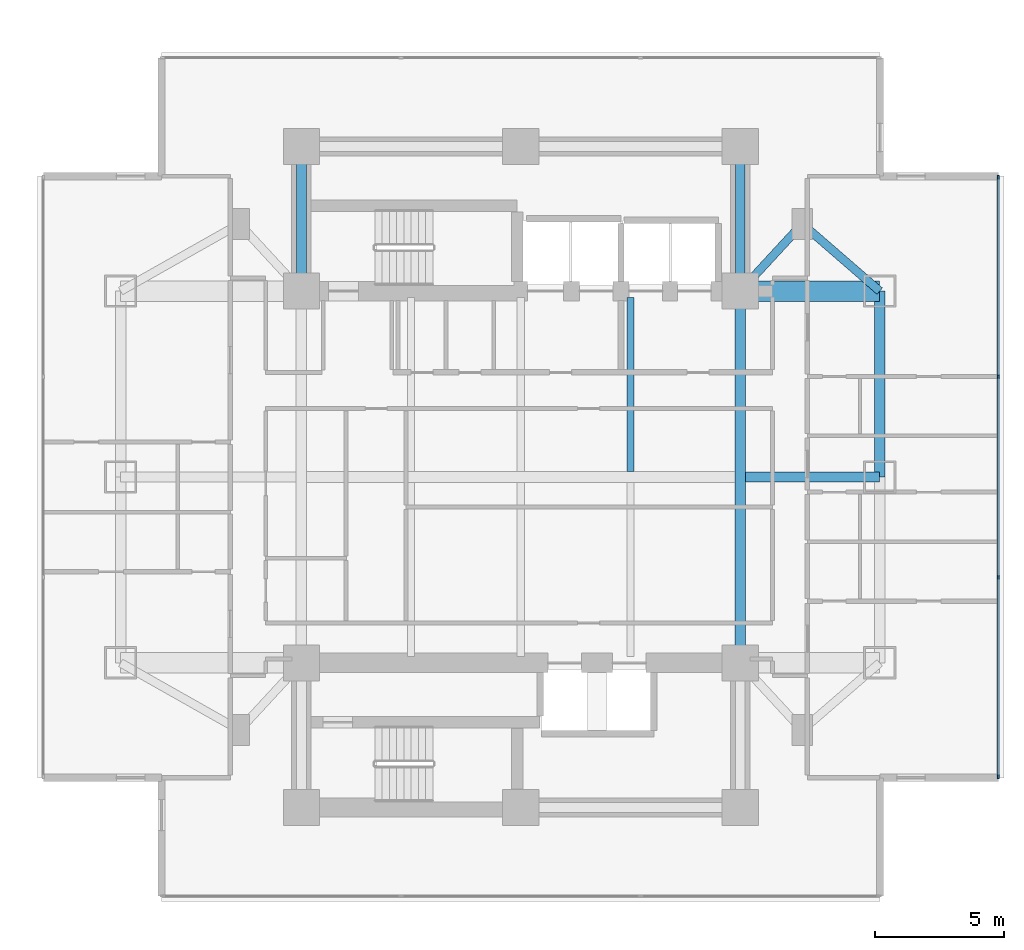
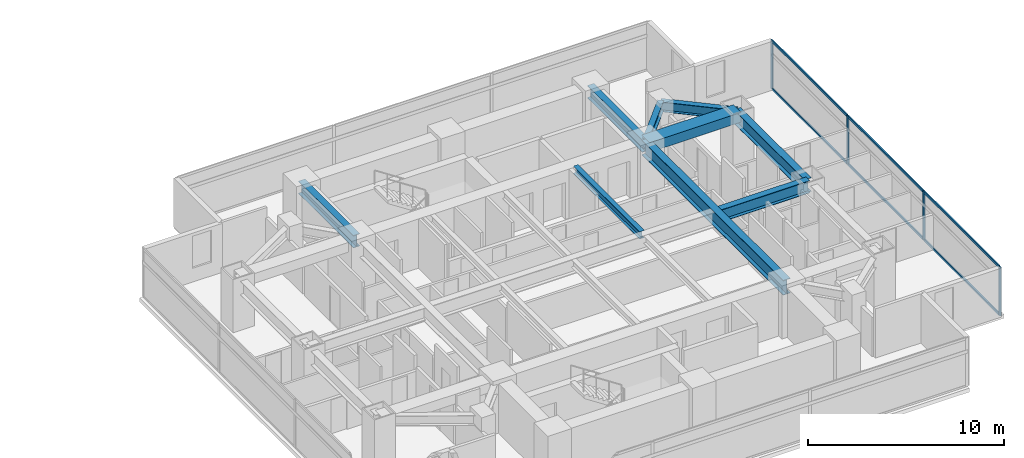
# One storey, part 10 of 25: 10 members, 9 beams, 1 element without a shape of its own.
"""IFC4 building model written with IfcOpenShell, lengths in metres."""

import ifcopenshell
import ifcopenshell.guid

model = None  # the IFC model being written
_history = None  # IfcOwnerHistory: only IFC2X3 demands one
_inside = {}  # id of a spatial element -> (the spatial element, [elements in it])
_under = {}  # id of a project, library or spatial element -> (it, [spatial elements below it])
_declared = {}  # id of a project -> (the project, [libraries it declares])
_typed = {}  # id of a type object -> (the type object, [elements of that type])
_made_of = {}  # id of a material, layer set ... -> (it, [elements and type objects made of it])


def new_model(schema):
    """Start an empty IFC model of exactly this schema.

    Asked for "IFC4X3", IfcOpenShell would pick the latest addendum, in which some entities
    have other attributes; the version numbers below select the first issue.
    IFC2X3 requires an IfcOwnerHistory on every rooted entity: one is made here for all.
    """
    global model, _history
    if schema == "IFC4X3":
        model = ifcopenshell.file(schema_version=(4, 3, 0, 0))
    else:
        model = ifcopenshell.file(schema=schema)
    _inside.clear()
    _under.clear()
    _declared.clear()
    _typed.clear()
    _made_of.clear()
    _history = None
    if model.schema == "IFC2X3":
        org = make("IfcOrganization", Name="unknown")
        user = make(
            "IfcPersonAndOrganization",
            ThePerson=make("IfcPerson", FamilyName="unknown"),
            TheOrganization=org,
        )
        app = make(
            "IfcApplication",
            ApplicationDeveloper=org,
            Version="unknown",
            ApplicationFullName="unknown",
            ApplicationIdentifier="unknown",
        )
        _history = make(
            "IfcOwnerHistory",
            OwningUser=user,
            OwningApplication=app,
            ChangeAction="ADDED",
            CreationDate=0,
        )
    return model


def make(cls, **values):
    """One entity of the class cls with the attributes given. An attribute that is None is left unset."""
    return model.create_entity(
        cls, **{name: value for name, value in values.items() if value is not None}
    )


def rooted(cls, **values):
    """An entity with a GlobalId (a new one), such as an element, a storey or a relation."""
    return make(cls, GlobalId=ifcopenshell.guid.new(), OwnerHistory=_history, **values)


def si_unit(unit_type, name, prefix=None):
    """IfcSIUnit, for example si_unit("LENGTHUNIT", "METRE", prefix="MILLI")."""
    return make("IfcSIUnit", UnitType=unit_type, Prefix=prefix, Name=name)


def assignment(units):
    """IfcUnitAssignment: the units of a project."""
    return None if units is None else make("IfcUnitAssignment", Units=units)


def point(xyz):
    """IfcCartesianPoint."""
    return None if xyz is None else make("IfcCartesianPoint", Coordinates=xyz)


def direction(xyz):
    """IfcDirection."""
    return None if xyz is None else make("IfcDirection", DirectionRatios=xyz)


def frame(location, z_axis=None, x_axis=None):
    """IfcAxis2Placement3D, a coordinate frame: its origin and axes. An axis left out is left unset."""
    return make(
        "IfcAxis2Placement3D",
        Location=point(location),
        Axis=direction(z_axis),
        RefDirection=direction(x_axis),
    )


def frame_2d(location, x_axis=None):
    """IfcAxis2Placement2D, a coordinate frame in the plane: its origin and x axis."""
    return make(
        "IfcAxis2Placement2D", Location=point(location), RefDirection=direction(x_axis)
    )


def origin():
    """The frame at (0, 0, 0) with its axes left unset."""
    return frame((0.0, 0.0, 0.0))


def origin_2d():
    """The frame at (0, 0) in the plane with its x axis left unset."""
    return frame_2d((0.0, 0.0))


def place(relative_to, where):
    """IfcLocalPlacement: puts the frame where relative to a parent placement (None: the world)."""
    return make(
        "IfcLocalPlacement", PlacementRelTo=relative_to, RelativePlacement=where
    )


def context(
    kind, dimensions, precision=None, world=None, true_north=None, identifier=None
):
    """IfcGeometricRepresentationContext, for example the 3D "Model" context."""
    return make(
        "IfcGeometricRepresentationContext",
        ContextIdentifier=identifier,
        ContextType=kind,
        CoordinateSpaceDimension=dimensions,
        Precision=precision,
        WorldCoordinateSystem=world,
        TrueNorth=true_north,
    )


def subcontext(parent, identifier, kind, view, scale=None):
    """IfcGeometricRepresentationSubContext, for example "Body" below "Model"."""
    return make(
        "IfcGeometricRepresentationSubContext",
        ContextIdentifier=identifier,
        ContextType=kind,
        ParentContext=parent,
        TargetScale=scale,
        TargetView=view,
    )


def project(units=None, contexts=None):
    """IfcProject with its units and contexts."""
    return rooted(
        "IfcProject",
        Name="project",
        RepresentationContexts=contexts,
        UnitsInContext=assignment(units),
    )


def spatial(cls, under=None, at=None, **own):
    """A site, building, storey or space (cls), placed at a placement, below another one or the project."""
    s = rooted(cls, ObjectPlacement=at, **own)
    if under is not None:
        _under.setdefault(under.id(), (under, []))[1].append(s)
    return s


def profile(cls, at=None, kind="AREA", **sizes):
    """A parametric profile (cls). Its sizes go by their IFC names, for example OverallWidth=200.0."""
    return make(cls, ProfileType=kind, Position=at, **sizes)


def rectangle(**sizes):
    """IfcRectangleProfileDef."""
    return profile("IfcRectangleProfileDef", **sizes)


def i_section(**sizes):
    """IfcIShapeProfileDef."""
    return profile("IfcIShapeProfileDef", **sizes)


def extrude(swept, where, along, depth):
    """IfcExtrudedAreaSolid: the profile swept, set in the frame where, extruded along a direction by depth."""
    return make(
        "IfcExtrudedAreaSolid",
        SweptArea=swept,
        Position=where,
        ExtrudedDirection=direction(along),
        Depth=depth,
    )


def shape(context_of_items, identifier, shape_type, items):
    """IfcShapeRepresentation: the items that make up one representation, for example the "Body"."""
    return make(
        "IfcShapeRepresentation",
        ContextOfItems=context_of_items,
        RepresentationIdentifier=identifier,
        RepresentationType=shape_type,
        Items=items,
    )


def material(Name=None, Category=None):
    """IfcMaterial."""
    return make("IfcMaterial", Name=Name, Category=Category)


def material_profile(
    of_material, cross_section, Name=None, Category=None, Priority=None
):
    """IfcMaterialProfile: a cross section and its material."""
    return make(
        "IfcMaterialProfile",
        Name=Name,
        Material=of_material,
        Profile=cross_section,
        Priority=Priority,
        Category=Category,
    )


def profile_set(profiles, Name=None, composite=None):
    """IfcMaterialProfileSet."""
    return make(
        "IfcMaterialProfileSet",
        Name=Name,
        MaterialProfiles=profiles,
        CompositeProfile=composite,
    )


def made_of(thing, what):
    """Note that an element or type object is made of a material, layer set ...; save() writes the relation."""
    if what is not None:
        _made_of.setdefault(what.id(), (what, []))[1].append(thing)
    return thing


def type_object(cls, material=None, **own):
    """A type object (cls), such as IfcWallType, which elements share."""
    return made_of(rooted(cls, **own), material)


def element(
    cls,
    number,
    at=None,
    inside=None,
    cuts=None,
    type_object=None,
    material=None,
    context=None,
    identifier="Body",
    shape_type=None,
    held_by="IfcProductDefinitionShape",
    body=None,
    shapes=None,
    **own,
):
    """One element of the class cls, such as IfcWall. Its Tag is "e" and its number.

    at: its placement. inside: the storey or other place that contains it. cuts: it is an
    opening in that element (IfcRelVoidsElement). A single representation is given by context,
    identifier, shape_type and body (its items); several are given by shapes. held_by: the class
    of the entity that holds the representations. save() writes the other relations.
    """
    e = rooted(cls, Tag="e%d" % number, ObjectPlacement=at, **own)
    if body is not None:
        shapes = [shape(context, identifier, shape_type, body)]
    if shapes is not None:
        e.Representation = make(held_by, Representations=shapes)
    if inside is not None:
        _inside.setdefault(inside.id(), (inside, []))[1].append(e)
    if cuts is not None:
        rooted(
            "IfcRelVoidsElement", RelatingBuildingElement=cuts, RelatedOpeningElement=e
        )
    if type_object is not None:
        _typed.setdefault(type_object.id(), (type_object, []))[1].append(e)
    return made_of(e, material)


def aggregate(whole, parts):
    """IfcRelAggregates: a whole, such as a stair, and the parts it consists of."""
    return rooted("IfcRelAggregates", RelatingObject=whole, RelatedObjects=parts)


def save(model, path):
    """Write the relations noted so far, then the file.

    IfcRelAggregates (storeys below a building ...), IfcRelContainedInSpatialStructure (elements
    in a storey), IfcRelDefinesByType, IfcRelAssociatesMaterial and IfcRelDeclares: one each for
    every whole, place, type object, material and project.
    """
    for whole, parts in _under.values():
        aggregate(whole, parts)
    for where, things in _inside.values():
        rooted(
            "IfcRelContainedInSpatialStructure",
            RelatedElements=things,
            RelatingStructure=where,
        )
    for kind, things in _typed.values():
        rooted("IfcRelDefinesByType", RelatedObjects=things, RelatingType=kind)
    for what, things in _made_of.values():
        rooted("IfcRelAssociatesMaterial", RelatedObjects=things, RelatingMaterial=what)
    for by, libraries in _declared.values():
        rooted("IfcRelDeclares", RelatingContext=by, RelatedDefinitions=libraries)
    model.write(path)


model = new_model("IFC4")

# Units and contexts
model_context = context("Model", 3, precision=1e-05, world=origin(), true_north=direction((0.0, 1.0)))
body_context = subcontext(model_context, "Body", "Model", "MODEL_VIEW")
ifc_project = project(units=[si_unit("LENGTHUNIT", "METRE"), si_unit("AREAUNIT", "SQUARE_METRE"), si_unit("VOLUMEUNIT", "CUBIC_METRE"), si_unit("PLANEANGLEUNIT", "RADIAN"), si_unit("MASSUNIT", "GRAM", prefix="KILO")], contexts=[model_context])

# Site, building, storey
site_placement = place(None, origin())
site = spatial("IfcSite", under=ifc_project, at=site_placement, CompositionType="ELEMENT")
building_placement = place(site_placement, origin())
building = spatial("IfcBuilding", under=site, at=building_placement, Name="Mirazonda Arch Towers", CompositionType="ELEMENT")
storey_placement = place(building_placement, frame((0.0, 0.0, 32.300048828125)))
storey = spatial("IfcBuildingStorey", under=building, at=storey_placement, Name="L08", CompositionType="ELEMENT", Elevation=32.300048828125)

# Beams
ifc_material_1 = material(Name="Steel ASTM A992 Grade 50", Category="steel")
ifc_material_profile_1 = material_profile(ifc_material_1, i_section(OverallWidth=0.39990234375, OverallDepth=0.85595703125, WebThickness=0.018310546875, FlangeThickness=0.029296875, at=origin_2d()), Name="W33X201")
ifc_profile_set_1 = profile_set([ifc_material_profile_1], Name="Steel ASTM A992 Grade 50")
beam_type_1 = type_object("IfcBeamType", Name="BM-EXT-W33X201", PredefinedType="USERDEFINED", material=ifc_profile_set_1)
beam_1_placement = place(storey_placement, frame((90.39990234375, 28.0, 2.6318359375), z_axis=(0.0, 1.0, 0.0), x_axis=(-1.0, 0.0, 0.0)))
element("IfcBeam", 1, at=beam_1_placement, inside=storey, type_object=beam_type_1, Name="L08 Floor Beam BM-T2-L08-NS-E-28", ObjectType="GIRDER", PredefinedType="USERDEFINED", context=body_context, shape_type="SweptSolid", body=[
    extrude(i_section(OverallWidth=0.39990234375, OverallDepth=0.85595703125, WebThickness=0.018310546875, FlangeThickness=0.029296875, at=origin_2d()), origin(), (0.0, 0.0, 1.0), 7.199951171875),
])
ifc_material_profile_2 = material_profile(ifc_material_1, i_section(OverallWidth=0.280029296875, OverallDepth=0.462890625, WebThickness=0.0107421875, FlangeThickness=0.017333984375, at=origin_2d()), Name="W18X76")
ifc_profile_set_2 = profile_set([ifc_material_profile_2], Name="Steel ASTM A992 Grade 50")
beam_type_2 = type_object("IfcBeamType", Name="BM-INT-W18X76", PredefinedType="JOIST", material=ifc_profile_set_2)
beam_2_placement = place(storey_placement, frame((80.75, 28.205078125, 2.828369140625), z_axis=(0.0, 1.0, 0.0), x_axis=(-1.0, 0.0, 0.0)))
element("IfcBeam", 2, at=beam_2_placement, inside=storey, type_object=beam_type_2, Name="L08 Floor Beam BM-T2-L08-J-807-28", PredefinedType="JOIST", context=body_context, shape_type="SweptSolid", body=[
    extrude(i_section(OverallWidth=0.280029296875, OverallDepth=0.462890625, WebThickness=0.0107421875, FlangeThickness=0.017333984375, at=origin_2d()), origin(), (0.0, 0.0, 1.0), 6.7548828125),
])
ifc_material_profile_3 = material_profile(ifc_material_1, i_section(OverallWidth=0.324951171875, OverallDepth=0.615966796875, WebThickness=0.013916015625, FlangeThickness=0.021484375, at=origin_2d()), Name="W24X117")
ifc_profile_set_3 = profile_set([ifc_material_profile_3], Name="Steel ASTM A992 Grade 50")
beam_type_3 = type_object("IfcBeamType", Name="BM-INT-W24X117", PredefinedType="BEAM", material=ifc_profile_set_3)
beam_3_placement = place(storey_placement, frame((87.39990234375, 37.800048828125, 2.751953125), z_axis=(-0.678251444854, -0.734829897019, 0.0), x_axis=(0.734829897019, -0.678251444854, 0.0)))
element("IfcBeam", 3, at=beam_3_placement, inside=storey, type_object=beam_type_3, Name="L08 Floor Beam BM-T2-L08-PL-NE1", PredefinedType="BEAM", context=body_context, shape_type="SweptSolid", body=[
    extrude(i_section(OverallWidth=0.324951171875, OverallDepth=0.615966796875, WebThickness=0.013916015625, FlangeThickness=0.021484375, at=origin_2d()), origin(), (0.0, 0.0, 1.0), 3.538330078125),
])
beam_4_placement = place(storey_placement, frame((87.39990234375, 37.800048828125, 2.751953125), z_axis=(0.755676908098, -0.654944585876, 0.0), x_axis=(0.654944585876, 0.755676908098, 0.0)))
element("IfcBeam", 4, at=beam_4_placement, inside=storey, type_object=beam_type_3, Name="L08 Floor Beam BM-T2-L08-PL-NE2", PredefinedType="BEAM", context=body_context, shape_type="SweptSolid", body=[
    extrude(i_section(OverallWidth=0.324951171875, OverallDepth=0.615966796875, WebThickness=0.013916015625, FlangeThickness=0.021484375, at=origin_2d()), origin(), (0.0, 0.0, 1.0), 3.969970703125),
])
ifc_material_profile_4 = material_profile(ifc_material_1, i_section(OverallWidth=0.381103515625, OverallDepth=0.77294921875, WebThickness=0.0166015625, FlangeThickness=0.027099609375, at=origin_2d()), Name="W30X173")
ifc_profile_set_4 = profile_set([ifc_material_profile_4], Name="Steel ASTM A992 Grade 50")
beam_type_4 = type_object("IfcBeamType", Name="BM-INT-W30X173", PredefinedType="USERDEFINED", material=ifc_profile_set_4)
for number, where, z_axis, x_axis, name in (
    (5, (68.0, 35.199951171875, 2.67333984375), (0.0, 1.0, 0.0), (-1.0, 0.0, 0.0), "L08 Floor Beam BM-T2-L08-CNW"),
    (6, (85.0, 35.199951171875, 2.67333984375), (0.0, 1.0, 0.0), (-1.0, 0.0, 0.0), "L08 Floor Beam BM-T2-L08-CNE"),
):
    element("IfcBeam", number, at=place(storey_placement, frame(where, z_axis=z_axis, x_axis=x_axis)), inside=storey, type_object=beam_type_4, Name=name, ObjectType="GIRDER", PredefinedType="USERDEFINED", context=body_context, shape_type="SweptSolid", body=[
        extrude(i_section(OverallWidth=0.381103515625, OverallDepth=0.77294921875, WebThickness=0.0166015625, FlangeThickness=0.027099609375, at=origin_2d()), origin(), (0.0, 0.0, 1.0), 5.60009765625),
    ])
beam_5_placement = place(storey_placement, frame((85.208984375, 28.0, 2.67333984375), z_axis=(1.0, 0.0, 0.0), x_axis=(0.0, 1.0, 0.0)))
element("IfcBeam", 7, at=beam_5_placement, inside=storey, type_object=beam_type_4, Name="L08 Floor Beam BM-T2-L08-GE2", ObjectType="GIRDER", PredefinedType="USERDEFINED", context=body_context, shape_type="SweptSolid", body=[
    extrude(i_section(OverallWidth=0.381103515625, OverallDepth=0.77294921875, WebThickness=0.0166015625, FlangeThickness=0.027099609375, at=origin_2d()), origin(), (0.0, 0.0, 1.0), 5.19091796875),
])
ifc_material_profile_5 = material_profile(ifc_material_1, i_section(OverallWidth=0.41796875, OverallDepth=0.927001953125, WebThickness=0.019287109375, FlangeThickness=0.031982421875, at=origin_2d()), Name="W36X231")
ifc_profile_set_5 = profile_set([ifc_material_profile_5], Name="Steel ASTM A992 Grade 50")
beam_type_5 = type_object("IfcBeamType", Name="BM-INT-W36X231", PredefinedType="USERDEFINED", material=ifc_profile_set_5)
beam_6_placement = place(storey_placement, frame((85.0, 20.800048828125, 2.596435546875), z_axis=(0.0, 1.0, 0.0), x_axis=(-1.0, 0.0, 0.0)))
element("IfcBeam", 8, at=beam_6_placement, inside=storey, type_object=beam_type_5, Name="L08 Floor Beam BM-T2-L08-NS-CE-FULL", ObjectType="GIRDER", PredefinedType="USERDEFINED", context=body_context, shape_type="SweptSolid", body=[
    extrude(i_section(OverallWidth=0.41796875, OverallDepth=0.927001953125, WebThickness=0.019287109375, FlangeThickness=0.031982421875, at=origin_2d()), origin(), (0.0, 0.0, 1.0), 14.39990234375),
])
ifc_material_2 = material(Name="Concrete C60/75", Category="concrete")
ifc_material_profile_6 = material_profile(ifc_material_2, rectangle(XDim=0.800048828125, YDim=0.60009765625, at=origin_2d()), Name="RCCB800x600")
ifc_profile_set_6 = profile_set([ifc_material_profile_6], Name="Concrete C60/75")
beam_type_6 = type_object("IfcBeamType", Name="CB-INT-RCCB800x600", PredefinedType="SPANDREL", material=ifc_profile_set_6)
beam_7_placement = place(storey_placement, frame((85.0, 35.199951171875, 2.760009765625), z_axis=(1.0, 0.0, 0.0), x_axis=(0.0, 1.0, 0.0)))
element("IfcBeam", 9, at=beam_7_placement, inside=storey, type_object=beam_type_6, Name="L08 Floor Beam CBC-T2-L08-NE", PredefinedType="SPANDREL", context=body_context, shape_type="SweptSolid", body=[
    extrude(rectangle(XDim=0.800048828125, YDim=0.60009765625, at=origin_2d()), origin(), (0.0, 0.0, 1.0), 5.39990234375),
])

# Curtain wall, members
ifc_material_3 = material(Name="Anodised Aluminium and Low-E Glass", Category="aluminium")
curtain_wall_type = type_object("IfcCurtainWallType", Name="CW-HTL-UNIT", PredefinedType="NOTDEFINED", material=ifc_material_3)
curtain_wall_placement = place(storey_placement, origin())
curtain_wall = element("IfcCurtainWall", 10, at=curtain_wall_placement, inside=storey, type_object=curtain_wall_type, Name="L08 T2 E Facade CW-L08-T2-E", PredefinedType="NOTDEFINED")
ifc_material_4 = material(Name="Anodised Aluminium Alloy", Category="aluminium")
ifc_material_profile_7 = material_profile(ifc_material_4, rectangle(XDim=0.074951171875, YDim=0.1650390625, at=origin_2d()), Name="ALU-MULL-75x165")
ifc_profile_set_7 = profile_set([ifc_material_profile_7], Name="Anodised Aluminium Alloy")
member_type_1 = type_object("IfcMemberType", Name="MULL-CW-HTL-UNIT", PredefinedType="MULLION", material=ifc_profile_set_7)
member_1_placement = place(storey_placement, frame((94.993896484375, 16.3876953125, 0.0), z_axis=(0.0, 0.0, 1.0), x_axis=(-1.0, 0.0, 0.0)))
member_1 = element("IfcMember", 11, at=member_1_placement, type_object=member_type_1, Name="CW-112 mullion 1", PredefinedType="MULLION", context=body_context, shape_type="SweptSolid", body=[
    extrude(rectangle(XDim=0.074951171875, YDim=0.1650390625, at=origin_2d()), origin(), (0.0, 0.0, 1.0), 3.0400390625),
])
member_2_placement = place(storey_placement, frame((94.993896484375, 24.11669921875, 0.0), z_axis=(0.0, 0.0, 1.0), x_axis=(-1.0, 0.0, 0.0)))
member_2 = element("IfcMember", 12, at=member_2_placement, type_object=member_type_1, Name="CW-112 mullion 2", PredefinedType="MULLION", context=body_context, shape_type="SweptSolid", body=[
    extrude(rectangle(XDim=0.074951171875, YDim=0.1650390625, at=origin_2d()), origin(), (0.0, 0.0, 1.0), 3.0400390625),
])
member_3_placement = place(storey_placement, frame((94.993896484375, 31.88330078125, 0.0), z_axis=(0.0, 0.0, 1.0), x_axis=(-1.0, 0.0, 0.0)))
member_3 = element("IfcMember", 13, at=member_3_placement, type_object=member_type_1, Name="CW-112 mullion 3", PredefinedType="MULLION", context=body_context, shape_type="SweptSolid", body=[
    extrude(rectangle(XDim=0.074951171875, YDim=0.1650390625, at=origin_2d()), origin(), (0.0, 0.0, 1.0), 3.0400390625),
])
member_4_placement = place(storey_placement, frame((94.993896484375, 39.6123046875, 0.0), z_axis=(0.0, 0.0, 1.0), x_axis=(-1.0, 0.0, 0.0)))
member_4 = element("IfcMember", 14, at=member_4_placement, type_object=member_type_1, Name="CW-112 mullion 4", PredefinedType="MULLION", context=body_context, shape_type="SweptSolid", body=[
    extrude(rectangle(XDim=0.074951171875, YDim=0.1650390625, at=origin_2d()), origin(), (0.0, 0.0, 1.0), 3.0400390625),
])
ifc_material_profile_8 = material_profile(ifc_material_4, rectangle(XDim=0.074951171875, YDim=0.14501953125, at=origin_2d()), Name="ALU-TRAN-75x145")
ifc_profile_set_8 = profile_set([ifc_material_profile_8], Name="Anodised Aluminium Alloy")
member_type_2 = type_object("IfcMemberType", Name="TRAN-CW-HTL-UNIT", PredefinedType="USERDEFINED", material=ifc_profile_set_8)
member_5_placement = place(storey_placement, frame((94.993896484375, 16.425048828125, 0.037353515625), z_axis=(0.0, 1.0, 0.0), x_axis=(-1.0, 0.0, 0.0)))
member_5 = element("IfcMember", 15, at=member_5_placement, type_object=member_type_2, Name="CW-112 transom 1.1", ObjectType="TRANSOM", PredefinedType="USERDEFINED", context=body_context, shape_type="SweptSolid", body=[
    extrude(rectangle(XDim=0.074951171875, YDim=0.14501953125, at=origin_2d()), origin(), (0.0, 0.0, 1.0), 7.654052734375),
])
member_6_placement = place(storey_placement, frame((94.993896484375, 16.425048828125, 3.00244140625), z_axis=(0.0, 1.0, 0.0), x_axis=(-1.0, 0.0, 0.0)))
member_6 = element("IfcMember", 16, at=member_6_placement, type_object=member_type_2, Name="CW-112 transom 1.2", ObjectType="TRANSOM", PredefinedType="USERDEFINED", context=body_context, shape_type="SweptSolid", body=[
    extrude(rectangle(XDim=0.074951171875, YDim=0.14501953125, at=origin_2d()), origin(), (0.0, 0.0, 1.0), 7.654052734375),
])
member_7_placement = place(storey_placement, frame((94.993896484375, 24.154296875, 0.037353515625), z_axis=(0.0, 1.0, 0.0), x_axis=(-1.0, 0.0, 0.0)))
member_7 = element("IfcMember", 17, at=member_7_placement, type_object=member_type_2, Name="CW-112 transom 2.1", ObjectType="TRANSOM", PredefinedType="USERDEFINED", context=body_context, shape_type="SweptSolid", body=[
    extrude(rectangle(XDim=0.074951171875, YDim=0.14501953125, at=origin_2d()), origin(), (0.0, 0.0, 1.0), 7.69140625),
])
member_8_placement = place(storey_placement, frame((94.993896484375, 24.154296875, 3.00244140625), z_axis=(0.0, 1.0, 0.0), x_axis=(-1.0, 0.0, 0.0)))
member_8 = element("IfcMember", 18, at=member_8_placement, type_object=member_type_2, Name="CW-112 transom 2.2", ObjectType="TRANSOM", PredefinedType="USERDEFINED", context=body_context, shape_type="SweptSolid", body=[
    extrude(rectangle(XDim=0.074951171875, YDim=0.14501953125, at=origin_2d()), origin(), (0.0, 0.0, 1.0), 7.69140625),
])
member_9_placement = place(storey_placement, frame((94.993896484375, 31.9208984375, 0.037353515625), z_axis=(0.0, 1.0, 0.0), x_axis=(-1.0, 0.0, 0.0)))
member_9 = element("IfcMember", 19, at=member_9_placement, type_object=member_type_2, Name="CW-112 transom 3.1", ObjectType="TRANSOM", PredefinedType="USERDEFINED", context=body_context, shape_type="SweptSolid", body=[
    extrude(rectangle(XDim=0.074951171875, YDim=0.14501953125, at=origin_2d()), origin(), (0.0, 0.0, 1.0), 7.654052734375),
])
member_10_placement = place(storey_placement, frame((94.993896484375, 31.9208984375, 3.00244140625), z_axis=(0.0, 1.0, 0.0), x_axis=(-1.0, 0.0, 0.0)))
member_10 = element("IfcMember", 20, at=member_10_placement, type_object=member_type_2, Name="CW-112 transom 3.2", ObjectType="TRANSOM", PredefinedType="USERDEFINED", context=body_context, shape_type="SweptSolid", body=[
    extrude(rectangle(XDim=0.074951171875, YDim=0.14501953125, at=origin_2d()), origin(), (0.0, 0.0, 1.0), 7.654052734375),
])
aggregate(curtain_wall, [member_1, member_2, member_3, member_4, member_5, member_6, member_7, member_8, member_9, member_10])

save(model, "model.ifc")
